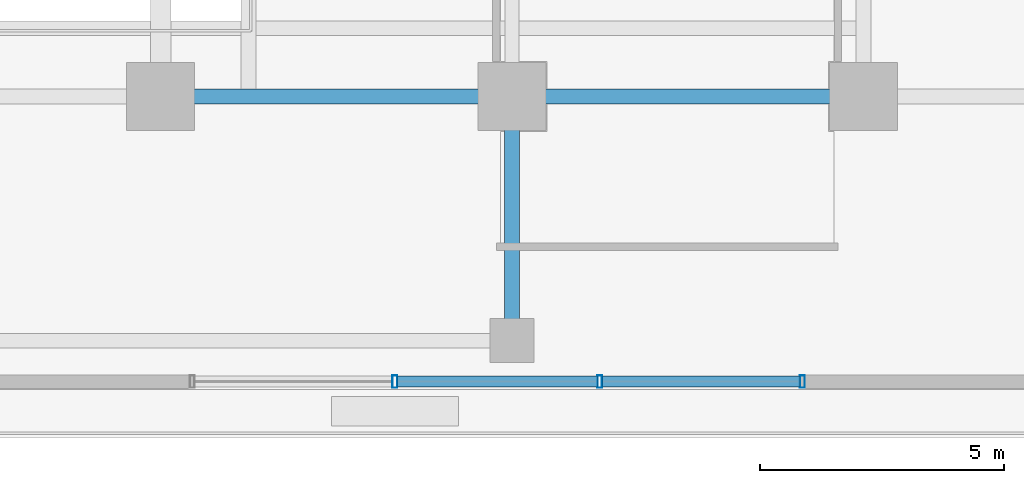
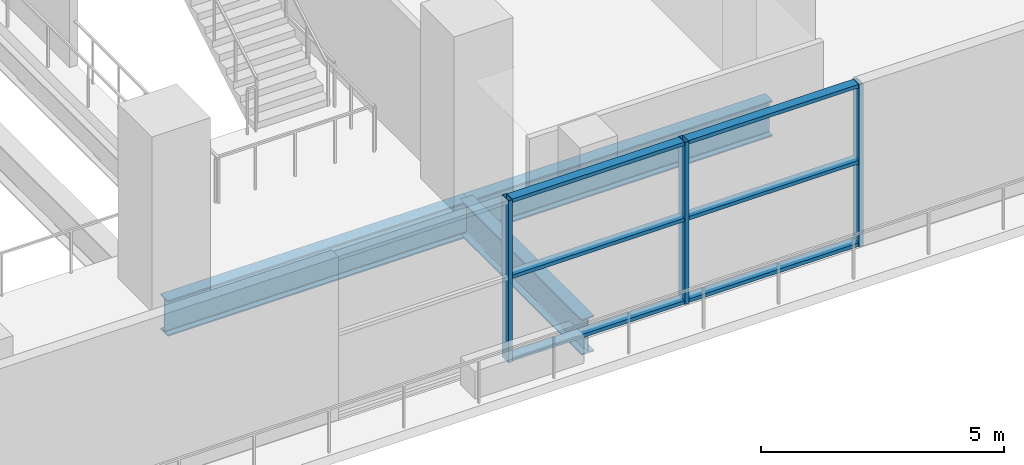
# One storey, part 6 of 22: 9 members, 3 beams, 1 element without a shape of its own.
"""IFC4 building model written with IfcOpenShell, lengths in metres."""

from ifc_helpers import new_model, si_unit, direction, frame, origin, origin_2d, place, context, subcontext, project, spatial, hollow_rectangle, i_section, extrude, source, transform, mapped, material, layer, layer_set, material_profile, profile_set, type_object, element, aggregate, save


model = new_model("IFC4")

# Units and contexts
model_context = context("Model", 3, precision=1e-05, world=origin(), true_north=direction((0.0, 1.0)))
body_context = subcontext(model_context, "Body", "Model", "MODEL_VIEW")
ifc_project = project(units=[si_unit("LENGTHUNIT", "METRE"), si_unit("AREAUNIT", "SQUARE_METRE"), si_unit("VOLUMEUNIT", "CUBIC_METRE"), si_unit("PLANEANGLEUNIT", "RADIAN"), si_unit("MASSUNIT", "GRAM", prefix="KILO")], contexts=[model_context])

# Site, building, storey
site_placement = place(None, origin())
site = spatial("IfcSite", under=ifc_project, at=site_placement, CompositionType="ELEMENT")
building_placement = place(site_placement, origin())
building = spatial("IfcBuilding", under=site, at=building_placement, Name="Zarnakvel Exchange Tower", CompositionType="ELEMENT")
storey_placement = place(building_placement, frame((0.0, 0.0, 9.39990234375)))
storey = spatial("IfcBuildingStorey", under=building, at=storey_placement, Name="L02", CompositionType="ELEMENT", Elevation=9.39990234375)

# Beams
ifc_material_1 = material(Name="Steel S355", Category="steel")
ifc_material_profile_1 = material_profile(ifc_material_1, i_section(OverallWidth=0.300048828125, OverallDepth=0.89990234375, WebThickness=0.0185546875, FlangeThickness=0.034912109375, FilletRadius=0.030029296875, at=origin_2d()))
ifc_profile_set_1 = profile_set([ifc_material_profile_1], Name="Steel S355")
beam_type = type_object("IfcBeamType", Name="G-01", PredefinedType="BEAM", material=ifc_profile_set_1)
beam_1_placement = place(storey_placement, frame((7.199951171875, -18.199951171875, -0.75), z_axis=(1.0, 0.0, 0.0), x_axis=(0.0, 1.0, 0.0)))
element("IfcBeam", 1, at=beam_1_placement, inside=storey, type_object=beam_type, Name="L02 Primary E-W Girder Y=-18.2", PredefinedType="BEAM", context=body_context, shape_type="SweptSolid", body=[
    extrude(i_section(OverallWidth=0.300048828125, OverallDepth=0.89990234375, WebThickness=0.0185546875, FlangeThickness=0.034912109375, FilletRadius=0.030029296875, at=origin_2d()), origin(), (0.0, 0.0, 1.0), 7.199951171875),
])
beam_2_placement = place(storey_placement, frame((14.39990234375, -18.199951171875, -0.75), z_axis=(1.0, 0.0, 0.0), x_axis=(0.0, 1.0, 0.0)))
element("IfcBeam", 2, at=beam_2_placement, inside=storey, type_object=beam_type, Name="L02 Primary E-W Girder Y=-18.2", PredefinedType="BEAM", context=body_context, shape_type="SweptSolid", body=[
    extrude(i_section(OverallWidth=0.300048828125, OverallDepth=0.89990234375, WebThickness=0.0185546875, FlangeThickness=0.034912109375, FilletRadius=0.030029296875, at=origin_2d()), origin(), (0.0, 0.0, 1.0), 7.2001953125),
])
beam_3_placement = place(storey_placement, frame((14.39990234375, -23.199951171875, -0.75), z_axis=(0.0, 1.0, 0.0), x_axis=(-1.0, 0.0, 0.0)))
element("IfcBeam", 3, at=beam_3_placement, inside=storey, type_object=beam_type, Name="L02 Primary N-S Girder X=+14.4", PredefinedType="BEAM", context=body_context, shape_type="SweptSolid", body=[
    extrude(i_section(OverallWidth=0.300048828125, OverallDepth=0.89990234375, WebThickness=0.0185546875, FlangeThickness=0.034912109375, FilletRadius=0.030029296875, at=origin_2d()), origin(), (0.0, 0.0, 1.0), 5.0),
])

# Curtain wall, members
ifc_material_2 = material(Name="Architectural Bronze Anodised Aluminium", Category="aluminium")
ifc_layer = layer(ifc_material_2, 0.260009765625)
ifc_layer_set = layer_set([ifc_layer], Name="Architectural Bronze Anodised Aluminium")
curtain_wall_type = type_object("IfcCurtainWallType", Name="CW-01", PredefinedType="NOTDEFINED", material=ifc_layer_set)
curtain_wall_placement = place(storey_placement, origin())
curtain_wall = element("IfcCurtainWall", 4, at=curtain_wall_placement, inside=storey, type_object=curtain_wall_type, Name="L02 Curtain Wall CW-L02-S2 (CW-01)", PredefinedType="NOTDEFINED")
ifc_material_profile_2 = material_profile(ifc_material_2, hollow_rectangle(XDim=0.219970703125, YDim=0.090087890625, WallThickness=0.0048828125, at=origin_2d()))
ifc_profile_set_2 = profile_set([ifc_material_profile_2], Name="Architectural Bronze Anodised Aluminium")
member_type_1 = type_object("IfcMemberType", Name="CWT-01", PredefinedType="USERDEFINED", material=ifc_profile_set_2)
shared_shape_1 = source(origin(), body_context, "Body", "SweptSolid", [
    extrude(hollow_rectangle(XDim=0.219970703125, YDim=0.090087890625, WallThickness=0.0048828125, at=origin_2d()), origin(), (0.0, 0.0, 1.0), 4.050048828125),
])
member_1_placement = place(storey_placement, frame((16.25, -24.0400390625, 0.045166015625), z_axis=(1.0, 0.0, 0.0), x_axis=(0.0, 1.0, 0.0)))
member_1 = element("IfcMember", 5, at=member_1_placement, type_object=member_type_1, Name="CW-01 transom 3.1", ObjectType="TRANSOM", PredefinedType="USERDEFINED", context=body_context, shape_type="MappedRepresentation", body=[
    mapped(shared_shape_1, transform((0.0, 0.0, 0.0), x_axis=(1.0, 0.0, 0.0), y_axis=(0.0, 1.0, 0.0), z_axis=(0.0, 0.0, 1.0), scale=1.0)),
])
member_2_placement = place(storey_placement, frame((16.25, -24.0400390625, 2.12158203125), z_axis=(1.0, 0.0, 0.0), x_axis=(0.0, 1.0, 0.0)))
member_2 = element("IfcMember", 6, at=member_2_placement, type_object=member_type_1, Name="CW-01 transom 3.2", ObjectType="TRANSOM", PredefinedType="USERDEFINED", context=body_context, shape_type="MappedRepresentation", body=[
    mapped(shared_shape_1, transform((0.0, 0.0, 0.0), x_axis=(1.0, 0.0, 0.0), y_axis=(0.0, 1.0, 0.0), z_axis=(0.0, 0.0, 1.0), scale=1.0)),
])
member_3_placement = place(storey_placement, frame((16.25, -24.0400390625, 4.03515625), z_axis=(1.0, 0.0, 0.0), x_axis=(0.0, 1.0, 0.0)))
member_3 = element("IfcMember", 7, at=member_3_placement, type_object=member_type_1, Name="CW-01 transom 3.3", ObjectType="TRANSOM", PredefinedType="USERDEFINED", context=body_context, shape_type="MappedRepresentation", body=[
    mapped(shared_shape_1, transform((0.0, 0.0, 0.0), x_axis=(1.0, 0.0, 0.0), y_axis=(0.0, 1.0, 0.0), z_axis=(0.0, 0.0, 1.0), scale=1.0)),
])
shared_shape_2 = source(origin(), body_context, "Body", "SweptSolid", [
    extrude(hollow_rectangle(XDim=0.219970703125, YDim=0.090087890625, WallThickness=0.0048828125, at=origin_2d()), origin(), (0.0, 0.0, 1.0), 4.099853515625),
])
member_4_placement = place(storey_placement, frame((12.050048828125, -24.0400390625, 0.045166015625), z_axis=(1.0, 0.0, 0.0), x_axis=(0.0, 1.0, 0.0)))
member_4 = element("IfcMember", 8, at=member_4_placement, type_object=member_type_1, Name="CW-01 transom 2.1", ObjectType="TRANSOM", PredefinedType="USERDEFINED", context=body_context, shape_type="MappedRepresentation", body=[
    mapped(shared_shape_2, transform((0.0, 0.0, 0.0), x_axis=(1.0, 0.0, 0.0), y_axis=(0.0, 1.0, 0.0), z_axis=(0.0, 0.0, 1.0), scale=1.0)),
])
member_5_placement = place(storey_placement, frame((12.050048828125, -24.0400390625, 2.12158203125), z_axis=(1.0, 0.0, 0.0), x_axis=(0.0, 1.0, 0.0)))
member_5 = element("IfcMember", 9, at=member_5_placement, type_object=member_type_1, Name="CW-01 transom 2.2", ObjectType="TRANSOM", PredefinedType="USERDEFINED", context=body_context, shape_type="MappedRepresentation", body=[
    mapped(shared_shape_2, transform((0.0, 0.0, 0.0), x_axis=(1.0, 0.0, 0.0), y_axis=(0.0, 1.0, 0.0), z_axis=(0.0, 0.0, 1.0), scale=1.0)),
])
member_6_placement = place(storey_placement, frame((12.050048828125, -24.0400390625, 4.03515625), z_axis=(1.0, 0.0, 0.0), x_axis=(0.0, 1.0, 0.0)))
member_6 = element("IfcMember", 10, at=member_6_placement, type_object=member_type_1, Name="CW-01 transom 2.3", ObjectType="TRANSOM", PredefinedType="USERDEFINED", context=body_context, shape_type="MappedRepresentation", body=[
    mapped(shared_shape_2, transform((0.0, 0.0, 0.0), x_axis=(1.0, 0.0, 0.0), y_axis=(0.0, 1.0, 0.0), z_axis=(0.0, 0.0, 1.0), scale=1.0)),
])
ifc_material_profile_3 = material_profile(ifc_material_2, hollow_rectangle(XDim=0.260009765625, YDim=0.10009765625, WallThickness=0.006103515625, at=origin_2d()))
ifc_profile_set_3 = profile_set([ifc_material_profile_3], Name="Architectural Bronze Anodised Aluminium")
member_type_2 = type_object("IfcMemberType", Name="CWM-01", PredefinedType="MULLION", material=ifc_profile_set_3)
shared_shape_3 = source(origin(), body_context, "Body", "SweptSolid", [
    extrude(hollow_rectangle(XDim=0.260009765625, YDim=0.10009765625, WallThickness=0.006103515625, at=origin_2d()), origin(), (0.0, 0.0, 1.0), 4.080078125),
])
member_7_placement = place(storey_placement, frame((12.0, -24.0400390625, 0.0), z_axis=(0.0, 0.0, 1.0), x_axis=(0.0, 1.0, 0.0)))
member_7 = element("IfcMember", 11, at=member_7_placement, type_object=member_type_2, Name="CW-01 mullion 2", PredefinedType="MULLION", context=body_context, shape_type="MappedRepresentation", body=[
    mapped(shared_shape_3, transform((0.0, 0.0, 0.0), x_axis=(1.0, 0.0, 0.0), y_axis=(0.0, 1.0, 0.0), z_axis=(0.0, 0.0, 1.0), scale=1.0)),
])
member_8_placement = place(storey_placement, frame((16.199951171875, -24.0400390625, 0.0), z_axis=(0.0, 0.0, 1.0), x_axis=(0.0, 1.0, 0.0)))
member_8 = element("IfcMember", 12, at=member_8_placement, type_object=member_type_2, Name="CW-01 mullion 3", PredefinedType="MULLION", context=body_context, shape_type="MappedRepresentation", body=[
    mapped(shared_shape_3, transform((0.0, 0.0, 0.0), x_axis=(1.0, 0.0, 0.0), y_axis=(0.0, 1.0, 0.0), z_axis=(0.0, 0.0, 1.0), scale=1.0)),
])
member_9_placement = place(storey_placement, frame((20.35009765625, -24.0400390625, 0.0), z_axis=(0.0, 0.0, 1.0), x_axis=(0.0, 1.0, 0.0)))
member_9 = element("IfcMember", 13, at=member_9_placement, type_object=member_type_2, Name="CW-01 mullion 4", PredefinedType="MULLION", context=body_context, shape_type="MappedRepresentation", body=[
    mapped(shared_shape_3, transform((0.0, 0.0, 0.0), x_axis=(1.0, 0.0, 0.0), y_axis=(0.0, 1.0, 0.0), z_axis=(0.0, 0.0, 1.0), scale=1.0)),
])
aggregate(curtain_wall, [member_7, member_8, member_9, member_4, member_5, member_6, member_1, member_2, member_3])

save(model, "model.ifc")
